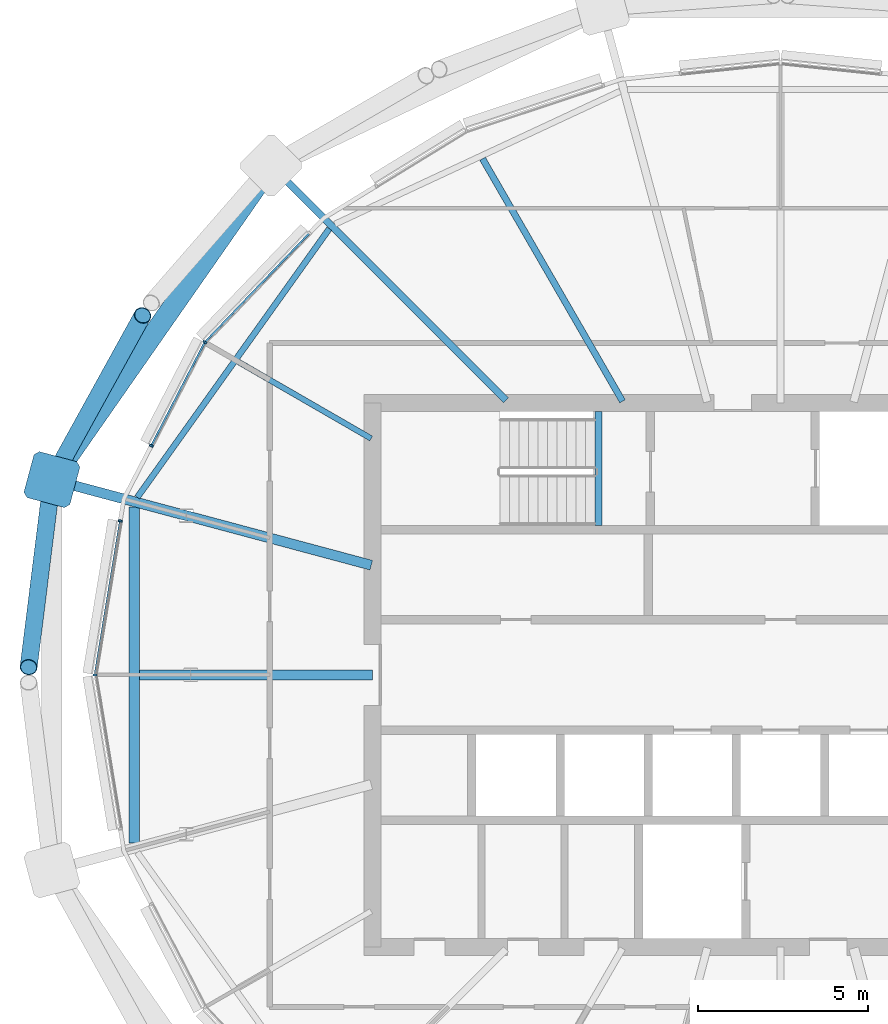
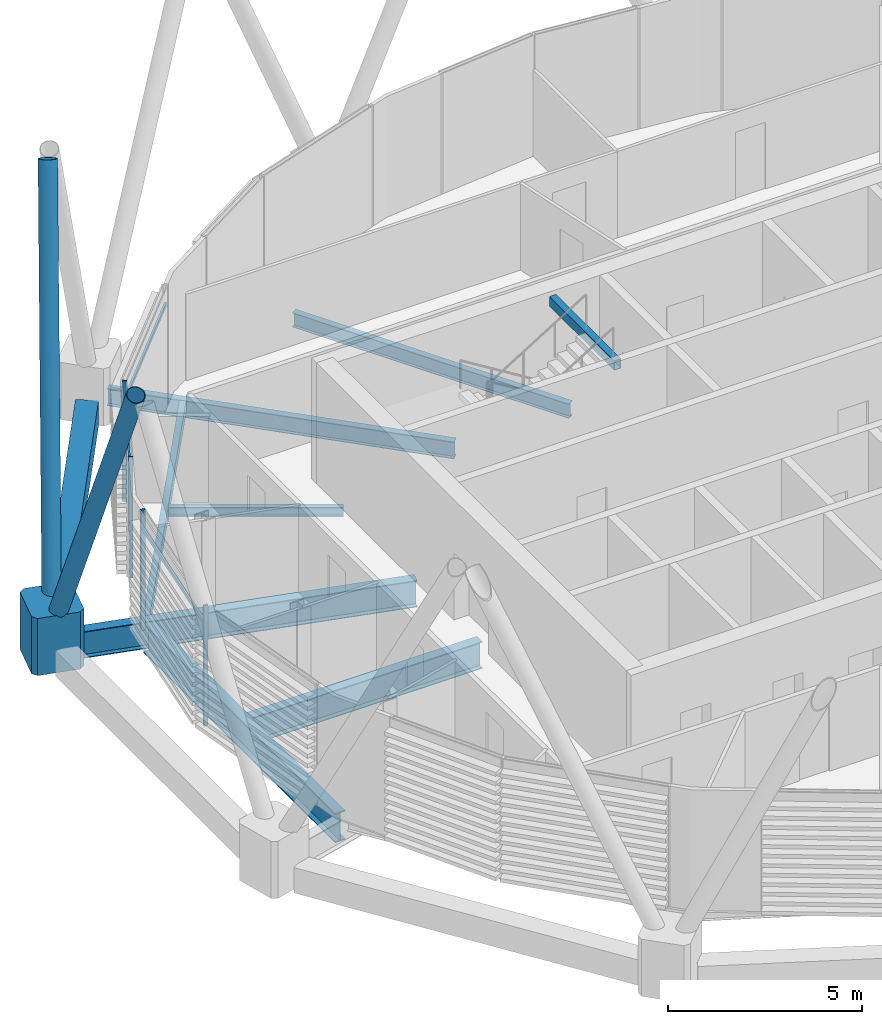
# One storey, part 5 of 31: 10 members, 9 beams, 1 element without a shape of its own.
"""IFC4 building model written with IfcOpenShell, lengths in metres."""

from ifc_helpers import new_model, si_unit, direction, frame, origin, origin_2d, place, context, subcontext, project, spatial, polyline, rectangle, hollow_rectangle, hollow_circle, i_section, outline, extrude, material, material_profile, profile_set, type_object, element, aggregate, save


model = new_model("IFC4")

# Units and contexts
model_context = context("Model", 3, precision=1e-05, world=origin(), true_north=direction((0.0, 1.0)))
body_context = subcontext(model_context, "Body", "Model", "MODEL_VIEW")
ifc_project = project(units=[si_unit("LENGTHUNIT", "METRE"), si_unit("AREAUNIT", "SQUARE_METRE"), si_unit("VOLUMEUNIT", "CUBIC_METRE"), si_unit("PLANEANGLEUNIT", "RADIAN"), si_unit("MASSUNIT", "GRAM", prefix="KILO")], contexts=[model_context])

# Site, building, storey
site_placement = place(None, origin())
site = spatial("IfcSite", under=ifc_project, at=site_placement, CompositionType="ELEMENT")
building_placement = place(site_placement, origin())
building = spatial("IfcBuilding", under=site, at=building_placement, Name="Rimbun Link Towers", CompositionType="ELEMENT")
storey_placement = place(building_placement, frame((0.0, 0.0, 244.699951171875)))
storey = spatial("IfcBuildingStorey", under=building, at=storey_placement, Name="L60", CompositionType="ELEMENT", Elevation=244.699951171875)

# Curtain wall, members
ifc_material_1 = material(Name="Aluminium 6063-T6 and low-iron glass", Category="aluminium")
curtain_wall_type = type_object("IfcCurtainWallType", Name="CW1-Z4 unitised vision wall (zone 4)", PredefinedType="NOTDEFINED", material=ifc_material_1)
curtain_wall_placement = place(storey_placement, origin())
curtain_wall = element("IfcCurtainWall", 1, at=curtain_wall_placement, inside=storey, type_object=curtain_wall_type, Name="CW1 L60 T1", PredefinedType="NOTDEFINED")
ifc_material_2 = material(Name="Aluminium 6063-T6", Category="aluminium")
ifc_material_profile_1 = material_profile(ifc_material_2, rectangle(XDim=0.1201171875, YDim=0.06005859375, at=origin_2d()), Name="MULLION 60X120")
ifc_profile_set_1 = profile_set([ifc_material_profile_1], Name="Aluminium 6063-T6")
member_type_1 = type_object("IfcMemberType", Name="CW1 mullion 60X120", PredefinedType="MULLION", material=ifc_profile_set_1)
member_1_placement = place(storey_placement, frame((-48.683837890625, 9.783447265625, 0.0), z_axis=(0.0, 0.0, 1.0), x_axis=(-0.813354276071, 0.581768701115, 0.0)))
member_1 = element("IfcMember", 2, at=member_1_placement, type_object=member_type_1, Name="CW1 mullion", PredefinedType="MULLION", context=body_context, shape_type="SweptSolid", body=[
    extrude(rectangle(XDim=0.1201171875, YDim=0.06005859375, at=origin_2d()), origin(), (0.0, 0.0, 1.0), 3.800048828125),
])
member_2_placement = place(storey_placement, frame((-50.258056640625, 6.742431640625, 0.0), z_axis=(0.0, 0.0, 1.0), x_axis=(-0.888150898734, 0.459551935126, 0.0)))
member_2 = element("IfcMember", 3, at=member_2_placement, type_object=member_type_1, Name="CW1 mullion", PredefinedType="MULLION", context=body_context, shape_type="SweptSolid", body=[
    extrude(rectangle(XDim=0.1201171875, YDim=0.06005859375, at=origin_2d()), origin(), (0.0, 0.0, 1.0), 3.800048828125),
])
member_3_placement = place(storey_placement, frame((-51.917724609375, 0.0, 0.0), z_axis=(0.0, 0.0, 1.0), x_axis=(-1.0, 0.0, 0.0)))
member_3 = element("IfcMember", 4, at=member_3_placement, type_object=member_type_1, Name="CW1 mullion", PredefinedType="MULLION", context=body_context, shape_type="SweptSolid", body=[
    extrude(rectangle(XDim=0.1201171875, YDim=0.06005859375, at=origin_2d()), origin(), (0.0, 0.0, 1.0), 3.800048828125),
])
member_4_placement = place(storey_placement, frame((-51.173828125, 4.52880859375, 0.0), z_axis=(0.0, 0.0, 1.0), x_axis=(-0.986747677327, 0.162262199201, 0.0)))
member_4 = element("IfcMember", 5, at=member_4_placement, type_object=member_type_1, Name="CW1 mullion", PredefinedType="MULLION", context=body_context, shape_type="SweptSolid", body=[
    extrude(rectangle(XDim=0.1201171875, YDim=0.06005859375, at=origin_2d()), origin(), (0.0, 0.0, 1.0), 3.800048828125),
])
ifc_material_3 = material(Name="Aluminium 6063-T6", Category="aluminium")
ifc_material_profile_2 = material_profile(ifc_material_3, rectangle(XDim=0.06005859375, YDim=0.1201171875, at=origin_2d()), Name="TRANSOM 60X120")
ifc_profile_set_2 = profile_set([ifc_material_profile_2], Name="Aluminium 6063-T6")
member_type_2 = type_object("IfcMemberType", Name="CW1 transom 60X120", PredefinedType="USERDEFINED", material=ifc_profile_set_2)
member_5_placement = place(storey_placement, frame((-48.65625, 9.810302734375, 3.199951171875), z_axis=(0.692037083084, 0.721861950539, 0.0), x_axis=(-0.721861950539, 0.692037083084, 0.0)))
member_5 = element("IfcMember", 6, at=member_5_placement, type_object=member_type_2, Name="CW1 transom", ObjectType="TRANSOM", PredefinedType="USERDEFINED", context=body_context, shape_type="SweptSolid", body=[
    extrude(rectangle(XDim=0.06005859375, YDim=0.1201171875, at=origin_2d()), origin(), (0.0, 0.0, 1.0), 4.3876953125),
])
member_6_placement = place(storey_placement, frame((-50.24267578125, 6.76806640625, 3.199951171875), z_axis=(0.459567390883, 0.888142901361, 0.0), x_axis=(-0.888142901361, 0.459567390883, 0.0)))
member_6 = element("IfcMember", 7, at=member_6_placement, type_object=member_type_2, Name="CW1 transom", ObjectType="TRANSOM", PredefinedType="USERDEFINED", context=body_context, shape_type="SweptSolid", body=[
    extrude(rectangle(XDim=0.06005859375, YDim=0.1201171875, at=origin_2d()), origin(), (0.0, 0.0, 1.0), 3.35595703125),
])
member_7_placement = place(storey_placement, frame((-51.91015625, 0.0390625, 3.199951171875), z_axis=(0.16226135535, 0.986747816091, 0.0), x_axis=(-0.986747816091, 0.16226135535, 0.0)))
member_7 = element("IfcMember", 8, at=member_7_placement, type_object=member_type_2, Name="CW1 transom", ObjectType="TRANSOM", PredefinedType="USERDEFINED", context=body_context, shape_type="SweptSolid", body=[
    extrude(rectangle(XDim=0.06005859375, YDim=0.1201171875, at=origin_2d()), origin(), (0.0, 0.0, 1.0), 4.519775390625),
])
aggregate(curtain_wall, [member_1, member_2, member_3, member_4, member_5, member_6, member_7])

# Members
ifc_material_4 = material(Name="Steel S355J2H", Category="steel")
ifc_material_profile_3 = material_profile(ifc_material_4, hollow_circle(Radius=0.25390625, WallThickness=0.02001953125, at=origin_2d()), Name="Diagrid diagonal CHS 508x20")
ifc_profile_set_3 = profile_set([ifc_material_profile_3], Name="Steel S355J2H")
member_type_3 = type_object("IfcMemberType", Name="Diagrid diagonal CHS 508x20", PredefinedType="BRACE", material=ifc_profile_set_3)
member_8_placement = place(storey_placement, frame((-53.07373046875, 5.939697265625, 0.446533203125), z_axis=(0.217507737355, 0.393908545908, 0.893043359334), x_axis=(-0.875409479865, 0.483382087549, 0.0)))
element("IfcMember", 9, at=member_8_placement, inside=storey, type_object=member_type_3, Name="Diagrid diagonal T1 L60-L63 11a", PredefinedType="BRACE", context=body_context, shape_type="SweptSolid", body=[
    extrude(hollow_circle(Radius=0.25390625, WallThickness=0.02001953125, at=origin_2d()), origin(), (0.0, 0.0, 1.0), 11.765380859375),
])
member_9_placement = place(storey_placement, frame((-53.21044921875, 5.518310546875, 0.44580078125), z_axis=(-0.055809660669, -0.449191118149, 0.891690877576), x_axis=(0.992369840819, -0.123296792472, 0.0)))
element("IfcMember", 10, at=member_9_placement, inside=storey, type_object=member_type_3, Name="Diagrid diagonal T1 L60-L63 11b", PredefinedType="BRACE", context=body_context, shape_type="SweptSolid", body=[
    extrude(hollow_circle(Radius=0.25390625, WallThickness=0.02001953125, at=origin_2d()), origin(), (0.0, 0.0, 1.0), 11.784912109375),
])
ifc_material_5 = material(Name="Cast steel G20Mn5+QT, Rp0.2 300 MPa", Category="steel")
ifc_material_profile_4 = material_profile(ifc_material_5, outline(polyline([(0.699951171875, -0.570068359375), (0.699951171875, 0.570068359375), (0.570068359375, 0.699951171875), (-0.570068359375, 0.699951171875), (-0.699951171875, 0.570068359375), (-0.699951171875, -0.570068359375), (-0.570068359375, -0.699951171875), (0.570068359375, -0.699951171875), (0.699951171875, -0.570068359375)])), Name="NODE 1400x1400")
ifc_profile_set_4 = profile_set([ifc_material_profile_4], Name="Cast steel G20Mn5+QT, Rp0.2 300 MPa")
member_type_4 = type_object("IfcMemberType", Name="Diagrid node cast 1400", PredefinedType="USERDEFINED", material=ifc_profile_set_4)
member_10_placement = place(storey_placement, frame((-53.1826171875, 5.742919921875, -0.89990234375), z_axis=(0.0, 0.0, 1.0), x_axis=(-0.965925826289, 0.258819045103, 0.0)))
element("IfcMember", 11, at=member_10_placement, inside=storey, type_object=member_type_4, Name="Diagrid node L60 11", ObjectType="Diagrid node", PredefinedType="USERDEFINED", context=body_context, shape_type="SweptSolid", body=[
    extrude(outline(polyline([(0.699951171875, -0.570068359375), (0.699951171875, 0.570068359375), (0.570068359375, 0.699951171875), (-0.570068359375, 0.699951171875), (-0.699951171875, 0.570068359375), (-0.699951171875, -0.570068359375), (-0.570068359375, -0.699951171875), (0.570068359375, -0.699951171875), (0.699951171875, -0.570068359375)])), origin(), (0.0, 0.0, 1.0), 1.800048828125),
])

# Beams
ifc_material_6 = material(Name="Steel S355J2", Category="steel")
ifc_material_profile_5 = material_profile(ifc_material_6, hollow_rectangle(XDim=0.60009765625, YDim=0.800048828125, WallThickness=0.0400390625, at=origin_2d()), Name="Exoskeleton ring girder BOX 600x800x40")
ifc_profile_set_5 = profile_set([ifc_material_profile_5], Name="Steel S355J2")
beam_type_1 = type_object("IfcBeamType", Name="Exoskeleton ring girder BOX 600x800x40", PredefinedType="BEAM", material=ifc_profile_set_5)
beam_1_placement = place(storey_placement, frame((-47.133544921875, 14.408935546875, -0.56005859375), z_axis=(-0.572374294954, -0.819992479524, 0.0), x_axis=(0.819992479524, -0.572374294954, 0.0)))
element("IfcBeam", 12, at=beam_1_placement, inside=storey, type_object=beam_type_1, Name="Exoskeleton ring girder L60 04", PredefinedType="BEAM", context=body_context, shape_type="SweptSolid", body=[
    extrude(hollow_rectangle(XDim=0.60009765625, YDim=0.800048828125, WallThickness=0.0400390625, at=origin_2d()), origin(), (0.0, 0.0, 1.0), 9.868408203125),
])
ifc_material_7 = material(Name="Steel S355J2", Category="steel")
ifc_material_profile_6 = material_profile(ifc_material_7, hollow_rectangle(XDim=0.199951171875, YDim=0.300048828125, WallThickness=0.011962890625, at=origin_2d()), Name="BOX 300x200x12")
ifc_profile_set_6 = profile_set([ifc_material_profile_6], Name="Steel S355J2")
beam_type_2 = type_object("IfcBeamType", Name="Stair trimmer beam BOX 300x200x12", PredefinedType="BEAM", material=ifc_profile_set_6)
beam_2_placement = place(storey_placement, frame((-37.10009765625, 7.75, 3.510009765625), z_axis=(0.0, -1.0, 0.0), x_axis=(1.0, 0.0, 0.0)))
element("IfcBeam", 13, at=beam_2_placement, inside=storey, type_object=beam_type_2, Name="L60 ST1 stair beam 1", PredefinedType="BEAM", context=body_context, shape_type="SweptSolid", body=[
    extrude(hollow_rectangle(XDim=0.199951171875, YDim=0.300048828125, WallThickness=0.011962890625, at=origin_2d()), origin(), (0.0, 0.0, 1.0), 3.35009765625),
])
ifc_material_8 = material(Name="Steel S355J2", Category="steel")
ifc_material_profile_7 = material_profile(ifc_material_8, i_section(OverallWidth=0.1650390625, OverallDepth=0.303466796875, WebThickness=0.006103515625, FlangeThickness=0.01025390625, at=origin_2d()), Name="UB 305x165x40")
ifc_profile_set_7 = profile_set([ifc_material_profile_7], Name="Steel S355J2")
beam_type_3 = type_object("IfcBeamType", Name="UB 305x165x40", PredefinedType="BEAM", material=ifc_profile_set_7)
beam_3_placement = place(storey_placement, frame((-43.7919921875, 6.952392578125, -0.291748046875), z_axis=(-0.866024614991, 0.500001366228, 0.0), x_axis=(-0.500001366228, -0.866024614991, 0.0)))
element("IfcBeam", 14, at=beam_3_placement, inside=storey, type_object=beam_type_3, Name="Radial beam T1 L60 10", PredefinedType="BEAM", context=body_context, shape_type="SweptSolid", body=[
    extrude(i_section(OverallWidth=0.1650390625, OverallDepth=0.303466796875, WebThickness=0.006103515625, FlangeThickness=0.01025390625, at=origin_2d()), origin(), (0.0, 0.0, 1.0), 4.52099609375),
])
ifc_material_9 = material(Name="Steel S355J2", Category="steel")
ifc_material_profile_8 = material_profile(ifc_material_9, i_section(OverallWidth=0.177978515625, OverallDepth=0.406494140625, WebThickness=0.0078125, FlangeThickness=0.0126953125, at=origin_2d()), Name="UB 406x178x60")
ifc_profile_set_8 = profile_set([ifc_material_profile_8], Name="Steel S355J2")
beam_type_4 = type_object("IfcBeamType", Name="UB 406x178x60", PredefinedType="BEAM", material=ifc_profile_set_8)
beam_4_placement = place(storey_placement, frame((-45.022705078125, 13.123291015625, -0.34326171875), z_axis=(-0.581513997328, -0.813536398025, 0.0), x_axis=(0.813536398025, -0.581513997328, 0.0)))
element("IfcBeam", 15, at=beam_4_placement, inside=storey, type_object=beam_type_4, Name="Edge beam T1 L60 09-11", PredefinedType="BEAM", context=body_context, shape_type="SweptSolid", body=[
    extrude(i_section(OverallWidth=0.177978515625, OverallDepth=0.406494140625, WebThickness=0.0078125, FlangeThickness=0.0126953125, at=origin_2d()), origin(), (0.0, 0.0, 1.0), 9.712158203125),
])
ifc_material_10 = material(Name="Steel S355J2", Category="steel")
ifc_material_profile_9 = material_profile(ifc_material_10, i_section(OverallWidth=0.18994140625, OverallDepth=0.453369140625, WebThickness=0.008544921875, FlangeThickness=0.0126953125, at=origin_2d()), Name="UB 457x191x67")
ifc_profile_set_9 = profile_set([ifc_material_profile_9], Name="Steel S355J2")
beam_type_5 = type_object("IfcBeamType", Name="UB 457x191x67", PredefinedType="BEAM", material=ifc_profile_set_9)
beam_5_placement = place(storey_placement, frame((-36.396728515625, 8.04833984375, -0.36669921875), z_axis=(-0.499996112969, 0.866027647951, 0.0), x_axis=(-0.866027647951, -0.499996112969, 0.0)))
element("IfcBeam", 16, at=beam_5_placement, inside=storey, type_object=beam_type_5, Name="Radial beam T1 L60 08", PredefinedType="BEAM", context=body_context, shape_type="SweptSolid", body=[
    extrude(i_section(OverallWidth=0.18994140625, OverallDepth=0.453369140625, WebThickness=0.008544921875, FlangeThickness=0.0126953125, at=origin_2d()), origin(), (0.0, 0.0, 1.0), 8.2373046875),
])
ifc_material_11 = material(Name="Steel S355J2", Category="steel")
ifc_material_profile_10 = material_profile(ifc_material_11, i_section(OverallWidth=0.209228515625, OverallDepth=0.533203125, WebThickness=0.010009765625, FlangeThickness=0.015625, at=origin_2d()), Name="UB 533x210x92")
ifc_profile_set_10 = profile_set([ifc_material_profile_10], Name="Steel S355J2")
beam_type_6 = type_object("IfcBeamType", Name="UB 533x210x92", PredefinedType="BEAM", material=ifc_profile_set_10)
beam_6_placement = place(storey_placement, frame((-39.82470703125, 8.07470703125, -0.406494140625), z_axis=(-0.707106781187, 0.707106781187, 0.0), x_axis=(-0.707106781187, -0.707106781187, 0.0)))
element("IfcBeam", 17, at=beam_6_placement, inside=storey, type_object=beam_type_6, Name="Radial beam T1 L60 09", PredefinedType="BEAM", context=body_context, shape_type="SweptSolid", body=[
    extrude(i_section(OverallWidth=0.209228515625, OverallDepth=0.533203125, WebThickness=0.010009765625, FlangeThickness=0.015625, at=origin_2d()), origin(), (0.0, 0.0, 1.0), 9.269775390625),
])
ifc_material_12 = material(Name="Steel S355J2", Category="steel")
ifc_material_profile_11 = material_profile(ifc_material_12, i_section(OverallWidth=0.29248046875, OverallDepth=0.8408203125, WebThickness=0.0126953125, FlangeThickness=0.021728515625, at=origin_2d()), Name="UB 838x292x194")
ifc_profile_set_11 = profile_set([ifc_material_profile_11], Name="Steel S355J2")
beam_type_7 = type_object("IfcBeamType", Name="UB 838x292x194", PredefinedType="BEAM", material=ifc_profile_set_11)
beam_7_placement = place(storey_placement, frame((-43.788818359375, 3.225830078125, -0.560302734375), z_axis=(-0.965929859648, 0.258803991931, 0.0), x_axis=(-0.258803991931, -0.965929859648, 0.0)))
element("IfcBeam", 18, at=beam_7_placement, inside=storey, type_object=beam_type_7, Name="Radial beam T1 L60 11", PredefinedType="BEAM", context=body_context, shape_type="SweptSolid", body=[
    extrude(i_section(OverallWidth=0.29248046875, OverallDepth=0.8408203125, WebThickness=0.0126953125, FlangeThickness=0.021728515625, at=origin_2d()), origin(), (0.0, 0.0, 1.0), 9.224853515625),
])
beam_8_placement = place(storey_placement, frame((-43.7509765625, 0.0, -0.560302734375), z_axis=(-1.0, 0.0, 0.0), x_axis=(0.0, -1.0, 0.0)))
element("IfcBeam", 19, at=beam_8_placement, inside=storey, type_object=beam_type_7, Name="Radial beam T1 L60 12", PredefinedType="BEAM", context=body_context, shape_type="SweptSolid", body=[
    extrude(i_section(OverallWidth=0.29248046875, OverallDepth=0.8408203125, WebThickness=0.0126953125, FlangeThickness=0.021728515625, at=origin_2d()), origin(), (0.0, 0.0, 1.0), 6.857177734375),
])
ifc_material_13 = material(Name="Steel S355J2", Category="steel")
ifc_material_profile_12 = material_profile(ifc_material_13, i_section(OverallWidth=0.305419921875, OverallDepth=0.91845703125, WebThickness=0.017333984375, FlangeThickness=0.02783203125, at=origin_2d()), Name="UB 914x305x253")
ifc_profile_set_12 = profile_set([ifc_material_profile_12], Name="Steel S355J2")
beam_type_8 = type_object("IfcBeamType", Name="UB 914x305x253", PredefinedType="BEAM", material=ifc_profile_set_12)
beam_9_placement = place(storey_placement, frame((-50.761962890625, 4.94189453125, -0.59912109375), z_axis=(0.0, -1.0, 0.0), x_axis=(1.0, 0.0, 0.0)))
element("IfcBeam", 20, at=beam_9_placement, inside=storey, type_object=beam_type_8, Name="Edge beam T1 L60 11-13", PredefinedType="BEAM", context=body_context, shape_type="SweptSolid", body=[
    extrude(i_section(OverallWidth=0.305419921875, OverallDepth=0.91845703125, WebThickness=0.017333984375, FlangeThickness=0.02783203125, at=origin_2d()), origin(), (0.0, 0.0, 1.0), 9.8837890625),
])

save(model, "model.ifc")
